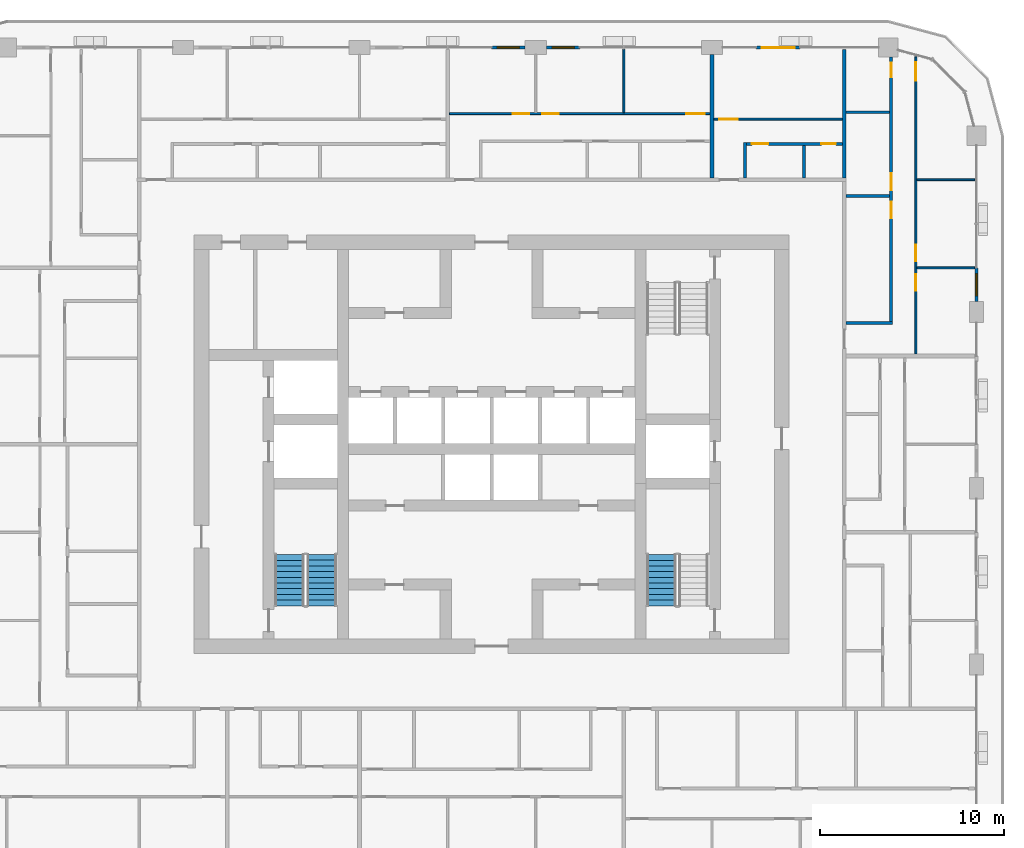
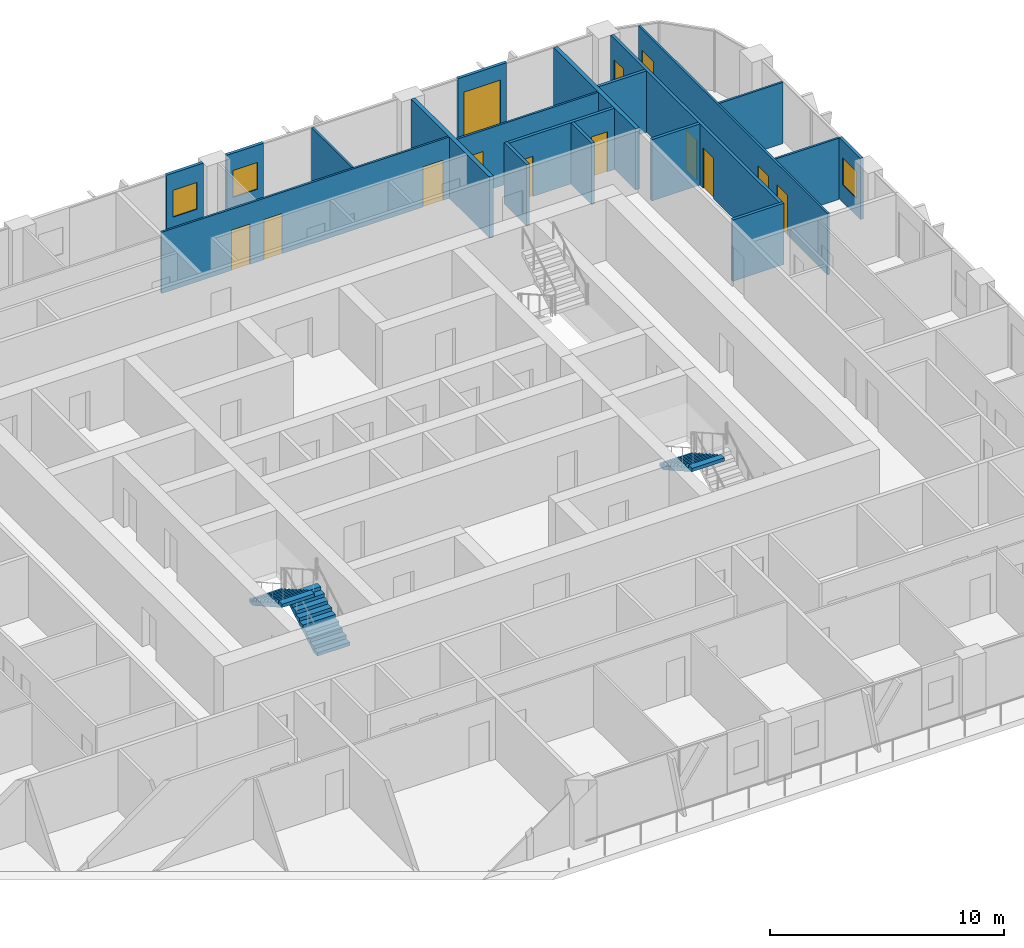
# One storey, part 15 of 22: 19 walls, 13 doors, 3 stair flights, 3 windows, 16 openings, 2 elements without a shape of their own.
"""IFC4 building model written with IfcOpenShell, lengths in metres."""

from ifc_helpers import new_model, si_unit, direction, frame, frame_2d, origin, place, context, subcontext, project, spatial, polyline, rectangle, outline, extrude, material, layer, layer_set, type_object, element, fill, aggregate, save


model = new_model("IFC4")

# Units and contexts
model_context = context("Model", 3, precision=1e-05, world=origin(), true_north=direction((0.0, 1.0)))
body_context = subcontext(model_context, "Body", "Model", "MODEL_VIEW")
ifc_project = project(units=[si_unit("LENGTHUNIT", "METRE"), si_unit("AREAUNIT", "SQUARE_METRE"), si_unit("VOLUMEUNIT", "CUBIC_METRE"), si_unit("PLANEANGLEUNIT", "RADIAN"), si_unit("MASSUNIT", "GRAM", prefix="KILO")], contexts=[model_context])

# Site, building, storey
site_placement = place(None, origin())
site = spatial("IfcSite", under=ifc_project, at=site_placement, CompositionType="ELEMENT")
building_placement = place(site_placement, origin())
building = spatial("IfcBuilding", under=site, at=building_placement, Name="Madar Terraces", CompositionType="ELEMENT")
storey_placement = place(building_placement, frame((0.0, 0.0, 163.0)))
storey = spatial("IfcBuildingStorey", under=building, at=storey_placement, Name="L42", CompositionType="ELEMENT", Elevation=163.0)

# Wall, opening, window
ifc_material_1 = material(Name="Aluminium composite panel, black, over insulated backing", Category="aluminium")
ifc_layer_1 = layer(ifc_material_1, 0.14990234375)
ifc_layer_set_1 = layer_set([ifc_layer_1], Name="Facade bay panel 150")
wall_type_1 = type_object("IfcWallType", Name="Facade bay panel 150", PredefinedType="SOLIDWALL", material=ifc_layer_set_1)
wall_1_placement = place(storey_placement, frame((57.60009765625, 34.175048828125, 0.0), z_axis=(0.0, 0.0, 1.0), x_axis=(0.0, 1.0, 0.0)))
wall_1 = element("IfcWall", 1, at=wall_1_placement, inside=storey, type_object=wall_type_1, Name="Facade bay panel", PredefinedType="SOLIDWALL", context=body_context, shape_type="SweptSolid", body=[
    extrude(rectangle(XDim=1.824951171875, YDim=0.14990234375, at=frame_2d((0.91259765625, 0.0))), origin(), (0.0, 0.0, 1.0), 3.199951171875),
])
opening_1_placement = place(wall_1_placement, frame((0.3125, 0.0, 0.89990234375)))
opening_1 = element("IfcOpeningElement", 2, at=opening_1_placement, cuts=wall_1, Name="Opening W1", PredefinedType="OPENING", context=body_context, shape_type="SweptSolid", body=[
    extrude(rectangle(XDim=1.199951171875, YDim=1.39990234375, at=frame_2d((0.60009765625, 0.699951171875))), frame((0.0, 0.0849609375, 0.0), z_axis=(0.0, -1.0, 0.0), x_axis=(1.0, 0.0, 0.0)), (0.0, 0.0, 1.0), 0.169921875),
])
ifc_material_2 = material(Name="Glass, clear, with black aluminium frame", Category="aluminium")
window_type = type_object("IfcWindowType", Name="Vent window 1200 x 1400", PartitioningType="SINGLE_PANEL", PredefinedType="WINDOW", material=ifc_material_2)
window_1_placement = place(opening_1_placement, origin())
window_1 = element("IfcWindow", 3, at=window_1_placement, inside=storey, type_object=window_type, Name="Operable vent window", OverallHeight=1.39990234375, OverallWidth=1.199951171875, PartitioningType="SINGLE_PANEL", PredefinedType="WINDOW", context=body_context, shape_type="SweptSolid", body=[
    extrude(rectangle(XDim=1.199951171875, YDim=1.39990234375, at=frame_2d((0.60009765625, 0.699951171875))), frame((0.0, 0.030029296875, 0.0), z_axis=(0.0, -1.0, 0.0), x_axis=(1.0, 0.0, 0.0)), (0.0, 0.0, 1.0), 0.06005859375),
])
fill(opening_1, window_1)

# Wall, opening, door
wall_2_placement = place(storey_placement, frame((48.0, 48.0, 0.0), z_axis=(0.0, 0.0, 1.0), x_axis=(-1.0, 0.0, 0.0)))
wall_2 = element("IfcWall", 4, at=wall_2_placement, inside=storey, type_object=wall_type_1, Name="Facade bay panel", PredefinedType="SOLIDWALL", context=body_context, shape_type="SweptSolid", body=[
    extrude(rectangle(XDim=2.39990234375, YDim=0.14990234375, at=frame_2d((1.199951171875, 0.0))), origin(), (0.0, 0.0, 1.0), 3.199951171875),
])
opening_2_placement = place(wall_2_placement, frame((0.300048828125, 0.0, 0.0)))
opening_2 = element("IfcOpeningElement", 5, at=opening_2_placement, cuts=wall_2, Name="Opening ED1", PredefinedType="OPENING", context=body_context, shape_type="SweptSolid", body=[
    extrude(rectangle(XDim=1.800048828125, YDim=2.39990234375, at=frame_2d((0.89990234375, 1.199951171875))), frame((0.0, 0.0849609375, 0.0), z_axis=(0.0, -1.0, 0.0), x_axis=(1.0, 0.0, 0.0)), (0.0, 0.0, 1.0), 0.169921875),
])
ifc_material_3 = material(Name="Glass, clear, with black aluminium frame", Category="aluminium")
door_type_1 = type_object("IfcDoorType", Name="Balcony and terrace sliding door 1800 x 2400", OperationType="SLIDING_TO_LEFT", PredefinedType="DOOR", material=ifc_material_3)
door_1_placement = place(opening_2_placement, origin())
door_1 = element("IfcDoor", 6, at=door_1_placement, inside=storey, type_object=door_type_1, Name="Balcony door", OperationType="SLIDING_TO_LEFT", OverallHeight=2.39990234375, OverallWidth=1.800048828125, PredefinedType="DOOR", context=body_context, shape_type="SweptSolid", body=[
    extrude(rectangle(XDim=1.800048828125, YDim=2.39990234375, at=frame_2d((0.89990234375, 1.199951171875))), frame((0.0, 0.02490234375, 0.0), z_axis=(0.0, -1.0, 0.0), x_axis=(1.0, 0.0, 0.0)), (0.0, 0.0, 1.0), 0.050048828125),
])
fill(opening_2, door_1)

# Wall, opening, window
wall_3_placement = place(storey_placement, frame((36.0, 48.0, 0.0), z_axis=(0.0, 0.0, 1.0), x_axis=(-1.0, 0.0, 0.0)))
wall_3 = element("IfcWall", 7, at=wall_3_placement, inside=storey, type_object=wall_type_1, Name="Facade bay panel", PredefinedType="SOLIDWALL", context=body_context, shape_type="SweptSolid", body=[
    extrude(rectangle(XDim=1.824951171875, YDim=0.14990234375, at=frame_2d((0.91259765625, 0.0))), origin(), (0.0, 0.0, 1.0), 3.199951171875),
])
opening_3_placement = place(wall_3_placement, frame((0.3125, 0.0, 0.89990234375)))
opening_3 = element("IfcOpeningElement", 8, at=opening_3_placement, cuts=wall_3, Name="Opening W1", PredefinedType="OPENING", context=body_context, shape_type="SweptSolid", body=[
    extrude(rectangle(XDim=1.199951171875, YDim=1.39990234375, at=frame_2d((0.60009765625, 0.699951171875))), frame((0.0, 0.0849609375, 0.0), z_axis=(0.0, -1.0, 0.0), x_axis=(1.0, 0.0, 0.0)), (0.0, 0.0, 1.0), 0.169921875),
])
window_2_placement = place(opening_3_placement, origin())
window_2 = element("IfcWindow", 9, at=window_2_placement, inside=storey, type_object=window_type, Name="Operable vent window", OverallHeight=1.39990234375, OverallWidth=1.199951171875, PartitioningType="SINGLE_PANEL", PredefinedType="WINDOW", context=body_context, shape_type="SweptSolid", body=[
    extrude(rectangle(XDim=1.199951171875, YDim=1.39990234375, at=frame_2d((0.60009765625, 0.699951171875))), frame((0.0, 0.030029296875, 0.0), z_axis=(0.0, -1.0, 0.0), x_axis=(1.0, 0.0, 0.0)), (0.0, 0.0, 1.0), 0.06005859375),
])
fill(opening_3, window_2)

wall_4_placement = place(storey_placement, frame((33.02490234375, 48.0, 0.0), z_axis=(0.0, 0.0, 1.0), x_axis=(-1.0, 0.0, 0.0)))
wall_4 = element("IfcWall", 10, at=wall_4_placement, inside=storey, type_object=wall_type_1, Name="Facade bay panel", PredefinedType="SOLIDWALL", context=body_context, shape_type="SweptSolid", body=[
    extrude(rectangle(XDim=1.824951171875, YDim=0.14990234375, at=frame_2d((0.91259765625, 0.0))), origin(), (0.0, 0.0, 1.0), 3.199951171875),
])
opening_4_placement = place(wall_4_placement, frame((0.3125, 0.0, 0.89990234375)))
opening_4 = element("IfcOpeningElement", 11, at=opening_4_placement, cuts=wall_4, Name="Opening W1", PredefinedType="OPENING", context=body_context, shape_type="SweptSolid", body=[
    extrude(rectangle(XDim=1.199951171875, YDim=1.39990234375, at=frame_2d((0.60009765625, 0.699951171875))), frame((0.0, 0.0849609375, 0.0), z_axis=(0.0, -1.0, 0.0), x_axis=(1.0, 0.0, 0.0)), (0.0, 0.0, 1.0), 0.169921875),
])
window_3_placement = place(opening_4_placement, origin())
window_3 = element("IfcWindow", 12, at=window_3_placement, inside=storey, type_object=window_type, Name="Operable vent window", OverallHeight=1.39990234375, OverallWidth=1.199951171875, PartitioningType="SINGLE_PANEL", PredefinedType="WINDOW", context=body_context, shape_type="SweptSolid", body=[
    extrude(rectangle(XDim=1.199951171875, YDim=1.39990234375, at=frame_2d((0.60009765625, 0.699951171875))), frame((0.0, 0.030029296875, 0.0), z_axis=(0.0, -1.0, 0.0), x_axis=(1.0, 0.0, 0.0)), (0.0, 0.0, 1.0), 0.06005859375),
])
fill(opening_4, window_3)

# Walls
ifc_material_4 = material(Name="Gypsum board on steel studs", Category="steel")
ifc_layer_2 = layer(ifc_material_4, 0.10009765625)
ifc_layer_set_2 = layer_set([ifc_layer_2], Name="Flat partition 100")
wall_type_2 = type_object("IfcWallType", Name="Flat partition 100", PredefinedType="PARTITIONING", material=ifc_layer_set_2)
for number, where, z_axis, x_axis, name in (
    (13, (54.35009765625, 36.0, 0.0), (0.0, 0.0, 1.0), (1.0, 0.0, 0.0), "Flat partition 100"),
    (14, (54.35009765625, 40.800048828125, 0.0), (0.0, 0.0, 1.0), (1.0, 0.0, 0.0), "Flat partition 100"),
):
    element("IfcWall", number, at=place(storey_placement, frame(where, z_axis=z_axis, x_axis=x_axis)), inside=storey, type_object=wall_type_2, Name=name, PredefinedType="PARTITIONING", context=body_context, shape_type="SweptSolid", body=[
        extrude(rectangle(XDim=3.14990234375, YDim=0.10009765625, at=frame_2d((1.574951171875, 0.0))), origin(), (0.0, 0.0, 1.0), 3.199951171875),
    ])

# Wall, openings, doors
wall_5_placement = place(storey_placement, frame((54.300048828125, 47.498046875, 0.0), z_axis=(0.0, 0.0, 1.0), x_axis=(0.0, -1.0, 0.0)))
wall_5 = element("IfcWall", 15, at=wall_5_placement, inside=storey, type_object=wall_type_2, Name="Flat partition 100", PredefinedType="PARTITIONING", context=body_context, shape_type="SweptSolid", body=[
    extrude(rectangle(XDim=16.197998046875, YDim=0.10009765625, at=frame_2d((8.09912109375, 0.0))), origin(), (0.0, 0.0, 1.0), 3.199951171875),
])
opening_5_placement = place(wall_5_placement, frame((11.84814453125, 0.0, 0.0)))
opening_5 = element("IfcOpeningElement", 16, at=opening_5_placement, cuts=wall_5, Name="Opening D2", PredefinedType="OPENING", context=body_context, shape_type="SweptSolid", body=[
    extrude(rectangle(XDim=0.89990234375, YDim=2.10009765625, at=frame_2d((0.449951171875, 1.050048828125))), frame((0.0, 0.06005859375, 0.0), z_axis=(0.0, -1.0, 0.0), x_axis=(1.0, 0.0, 0.0)), (0.0, 0.0, 1.0), 0.1201171875),
])
opening_6_placement = place(wall_5_placement, frame((10.248046875, 0.0, 0.0)))
opening_6 = element("IfcOpeningElement", 17, at=opening_6_placement, cuts=wall_5, Name="Opening D2", PredefinedType="OPENING", context=body_context, shape_type="SweptSolid", body=[
    extrude(rectangle(XDim=0.89990234375, YDim=2.10009765625, at=frame_2d((0.449951171875, 1.050048828125))), frame((0.0, 0.06005859375, 0.0), z_axis=(0.0, -1.0, 0.0), x_axis=(1.0, 0.0, 0.0)), (0.0, 0.0, 1.0), 0.1201171875),
])
opening_7_placement = place(wall_5_placement, frame((0.300048828125, 0.0, 0.0)))
opening_7 = element("IfcOpeningElement", 18, at=opening_7_placement, cuts=wall_5, Name="Opening D3", PredefinedType="OPENING", context=body_context, shape_type="SweptSolid", body=[
    extrude(rectangle(XDim=1.0, YDim=2.10009765625, at=frame_2d((0.5, 1.050048828125))), frame((0.0, 0.06005859375, 0.0), z_axis=(0.0, -1.0, 0.0), x_axis=(1.0, 0.0, 0.0)), (0.0, 0.0, 1.0), 0.1201171875),
])
ifc_material_5 = material(Name="Timber door leaf", Category="wood")
door_type_2 = type_object("IfcDoorType", Name="Flat living room door 1000", OperationType="NOTDEFINED", PredefinedType="DOOR", material=ifc_material_5)
door_2_placement = place(opening_7_placement, origin())
door_2 = element("IfcDoor", 19, at=door_2_placement, inside=storey, type_object=door_type_2, Name="Flat living room door 1000", OperationType="SINGLE_SWING_LEFT", OverallHeight=2.10009765625, OverallWidth=1.0, PredefinedType="DOOR", context=body_context, shape_type="SweptSolid", body=[
    extrude(rectangle(XDim=1.0, YDim=2.10009765625, at=frame_2d((0.5, 1.050048828125))), frame((0.0, 0.02490234375, 0.0), z_axis=(0.0, -1.0, 0.0), x_axis=(1.0, 0.0, 0.0)), (0.0, 0.0, 1.0), 0.050048828125),
])
fill(opening_7, door_2)
ifc_material_6 = material(Name="Timber door leaf", Category="wood")
door_type_3 = type_object("IfcDoorType", Name="Flat room door 900", OperationType="NOTDEFINED", PredefinedType="DOOR", material=ifc_material_6)
door_3_placement = place(opening_5_placement, origin())
door_3 = element("IfcDoor", 20, at=door_3_placement, inside=storey, type_object=door_type_3, Name="Flat room door 900", OperationType="SINGLE_SWING_LEFT", OverallHeight=2.10009765625, OverallWidth=0.89990234375, PredefinedType="DOOR", context=body_context, shape_type="SweptSolid", body=[
    extrude(rectangle(XDim=0.89990234375, YDim=2.10009765625, at=frame_2d((0.449951171875, 1.050048828125))), frame((0.0, 0.02490234375, 0.0), z_axis=(0.0, -1.0, 0.0), x_axis=(1.0, 0.0, 0.0)), (0.0, 0.0, 1.0), 0.050048828125),
])
fill(opening_5, door_3)
door_4_placement = place(opening_6_placement, origin())
door_4 = element("IfcDoor", 21, at=door_4_placement, inside=storey, type_object=door_type_3, Name="Flat room door 900", OperationType="SINGLE_SWING_RIGHT", OverallHeight=2.10009765625, OverallWidth=0.89990234375, PredefinedType="DOOR", context=body_context, shape_type="SweptSolid", body=[
    extrude(rectangle(XDim=0.89990234375, YDim=2.10009765625, at=frame_2d((0.449951171875, 1.050048828125))), frame((0.0, 0.02490234375, 0.0), z_axis=(0.0, -1.0, 0.0), x_axis=(1.0, 0.0, 0.0)), (0.0, 0.0, 1.0), 0.050048828125),
])
fill(opening_6, door_4)

# Wall, opening, door
wall_6_placement = place(storey_placement, frame((43.300048828125, 44.10009765625, 0.0), z_axis=(0.0, 0.0, 1.0), x_axis=(1.0, 0.0, 0.0)))
wall_6 = element("IfcWall", 22, at=wall_6_placement, inside=storey, type_object=wall_type_2, Name="Flat partition 100", PredefinedType="PARTITIONING", context=body_context, shape_type="SweptSolid", body=[
    extrude(rectangle(XDim=7.0, YDim=0.10009765625, at=frame_2d((3.5, 0.0))), origin(), (0.0, 0.0, 1.0), 3.199951171875),
])
opening_8_placement = place(wall_6_placement, frame((0.300048828125, 0.0, 0.0)))
opening_8 = element("IfcOpeningElement", 23, at=opening_8_placement, cuts=wall_6, Name="Opening D3", PredefinedType="OPENING", context=body_context, shape_type="SweptSolid", body=[
    extrude(rectangle(XDim=1.0, YDim=2.10009765625, at=frame_2d((0.5, 1.050048828125))), frame((0.0, 0.06005859375, 0.0), z_axis=(0.0, -1.0, 0.0), x_axis=(1.0, 0.0, 0.0)), (0.0, 0.0, 1.0), 0.1201171875),
])
door_5_placement = place(opening_8_placement, origin())
door_5 = element("IfcDoor", 24, at=door_5_placement, inside=storey, type_object=door_type_2, Name="Flat living room door 1000", OperationType="SINGLE_SWING_LEFT", OverallHeight=2.10009765625, OverallWidth=1.0, PredefinedType="DOOR", context=body_context, shape_type="SweptSolid", body=[
    extrude(rectangle(XDim=1.0, YDim=2.10009765625, at=frame_2d((0.5, 1.050048828125))), frame((0.0, 0.02490234375, 0.0), z_axis=(0.0, -1.0, 0.0), x_axis=(1.0, 0.0, 0.0)), (0.0, 0.0, 1.0), 0.050048828125),
])
fill(opening_8, door_5)

# Wall
wall_7_placement = place(storey_placement, frame((38.39990234375, 44.449951171875, 0.0), z_axis=(0.0, 0.0, 1.0), x_axis=(0.0, 1.0, 0.0)))
element("IfcWall", 25, at=wall_7_placement, inside=storey, type_object=wall_type_2, Name="Flat partition 100", PredefinedType="PARTITIONING", context=body_context, shape_type="SweptSolid", body=[
    extrude(rectangle(XDim=3.449951171875, YDim=0.10009765625, at=frame_2d((1.72509765625, 0.0))), origin(), (0.0, 0.0, 1.0), 3.199951171875),
])

# Wall, openings, doors
wall_8_placement = place(storey_placement, frame((28.89990234375, 44.39990234375, 0.0), z_axis=(0.0, 0.0, 1.0), x_axis=(1.0, 0.0, 0.0)))
wall_8 = element("IfcWall", 26, at=wall_8_placement, inside=storey, type_object=wall_type_2, Name="Flat partition 100", PredefinedType="PARTITIONING", context=body_context, shape_type="SweptSolid", body=[
    extrude(rectangle(XDim=14.2001953125, YDim=0.10009765625, at=frame_2d((7.10009765625, 0.0))), origin(), (0.0, 0.0, 1.0), 3.199951171875),
])
opening_9_placement = place(wall_8_placement, frame((3.449951171875, 0.0, 0.0)))
opening_9 = element("IfcOpeningElement", 27, at=opening_9_placement, cuts=wall_8, Name="Opening D2", PredefinedType="OPENING", context=body_context, shape_type="SweptSolid", body=[
    extrude(rectangle(XDim=0.89990234375, YDim=2.10009765625, at=frame_2d((0.449951171875, 1.050048828125))), frame((0.0, 0.06005859375, 0.0), z_axis=(0.0, -1.0, 0.0), x_axis=(1.0, 0.0, 0.0)), (0.0, 0.0, 1.0), 0.1201171875),
])
opening_10_placement = place(wall_8_placement, frame((5.050048828125, 0.0, 0.0)))
opening_10 = element("IfcOpeningElement", 28, at=opening_10_placement, cuts=wall_8, Name="Opening D2", PredefinedType="OPENING", context=body_context, shape_type="SweptSolid", body=[
    extrude(rectangle(XDim=0.89990234375, YDim=2.10009765625, at=frame_2d((0.449951171875, 1.050048828125))), frame((0.0, 0.06005859375, 0.0), z_axis=(0.0, -1.0, 0.0), x_axis=(1.0, 0.0, 0.0)), (0.0, 0.0, 1.0), 0.1201171875),
])
opening_11_placement = place(wall_8_placement, frame((12.89990234375, 0.0, 0.0)))
opening_11 = element("IfcOpeningElement", 29, at=opening_11_placement, cuts=wall_8, Name="Opening D3", PredefinedType="OPENING", context=body_context, shape_type="SweptSolid", body=[
    extrude(rectangle(XDim=1.0, YDim=2.10009765625, at=frame_2d((0.5, 1.050048828125))), frame((0.0, 0.06005859375, 0.0), z_axis=(0.0, -1.0, 0.0), x_axis=(1.0, 0.0, 0.0)), (0.0, 0.0, 1.0), 0.1201171875),
])
door_6_placement = place(opening_11_placement, origin())
door_6 = element("IfcDoor", 30, at=door_6_placement, inside=storey, type_object=door_type_2, Name="Flat living room door 1000", OperationType="SINGLE_SWING_RIGHT", OverallHeight=2.10009765625, OverallWidth=1.0, PredefinedType="DOOR", context=body_context, shape_type="SweptSolid", body=[
    extrude(rectangle(XDim=1.0, YDim=2.10009765625, at=frame_2d((0.5, 1.050048828125))), frame((0.0, 0.02490234375, 0.0), z_axis=(0.0, -1.0, 0.0), x_axis=(1.0, 0.0, 0.0)), (0.0, 0.0, 1.0), 0.050048828125),
])
fill(opening_11, door_6)
door_7_placement = place(opening_9_placement, origin())
door_7 = element("IfcDoor", 31, at=door_7_placement, inside=storey, type_object=door_type_3, Name="Flat room door 900", OperationType="SINGLE_SWING_RIGHT", OverallHeight=2.10009765625, OverallWidth=0.89990234375, PredefinedType="DOOR", context=body_context, shape_type="SweptSolid", body=[
    extrude(rectangle(XDim=0.89990234375, YDim=2.10009765625, at=frame_2d((0.449951171875, 1.050048828125))), frame((0.0, 0.02490234375, 0.0), z_axis=(0.0, -1.0, 0.0), x_axis=(1.0, 0.0, 0.0)), (0.0, 0.0, 1.0), 0.050048828125),
])
fill(opening_9, door_7)
door_8_placement = place(opening_10_placement, origin())
door_8 = element("IfcDoor", 32, at=door_8_placement, inside=storey, type_object=door_type_3, Name="Flat room door 900", OperationType="SINGLE_SWING_LEFT", OverallHeight=2.10009765625, OverallWidth=0.89990234375, PredefinedType="DOOR", context=body_context, shape_type="SweptSolid", body=[
    extrude(rectangle(XDim=0.89990234375, YDim=2.10009765625, at=frame_2d((0.449951171875, 1.050048828125))), frame((0.0, 0.02490234375, 0.0), z_axis=(0.0, -1.0, 0.0), x_axis=(1.0, 0.0, 0.0)), (0.0, 0.0, 1.0), 0.050048828125),
])
fill(opening_10, door_8)

# Walls
ifc_material_7 = material(Name="Lightweight blockwork", Category="masonry")
ifc_layer_3 = layer(ifc_material_7, 0.199951171875)
ifc_layer_set_3 = layer_set([ifc_layer_3], Name="Flat party and entrance wall 200")
wall_type_3 = type_object("IfcWallType", Name="Flat party and entrance wall 200", PredefinedType="PARTITIONING", material=ifc_layer_set_3)
wall_9_placement = place(storey_placement, frame((50.39990234375, 40.89990234375, 0.0), z_axis=(0.0, 0.0, 1.0), x_axis=(0.0, 1.0, 0.0)))
element("IfcWall", 33, at=wall_9_placement, inside=storey, type_object=wall_type_3, Name="Flat party and entrance wall 200", PredefinedType="PARTITIONING", context=body_context, shape_type="SweptSolid", body=[
    extrude(rectangle(XDim=7.0, YDim=0.199951171875, at=frame_2d((3.5, 0.0))), origin(), (0.0, 0.0, 1.0), 3.199951171875),
])
wall_10_placement = place(storey_placement, frame((43.199951171875, 47.625, 0.0), z_axis=(0.0, 0.0, 1.0), x_axis=(0.0, -1.0, 0.0)))
element("IfcWall", 34, at=wall_10_placement, inside=storey, type_object=wall_type_3, Name="Flat party and entrance wall 200", PredefinedType="PARTITIONING", context=body_context, shape_type="SweptSolid", body=[
    extrude(rectangle(XDim=6.72509765625, YDim=0.199951171875, at=frame_2d((3.362548828125, 0.0))), origin(), (0.0, 0.0, 1.0), 3.199951171875),
])
ifc_material_8 = material(Name="Lightweight blockwork", Category="masonry")
ifc_layer_4 = layer(ifc_material_8, 0.14990234375)
ifc_layer_set_4 = layer_set([ifc_layer_4], Name="Flat wet-room partition 150")
wall_type_4 = type_object("IfcWallType", Name="Flat wet-room partition 150", PredefinedType="PARTITIONING", material=ifc_layer_set_4)
for number, where, z_axis, x_axis, name in (
    (35, (50.5, 39.917236328125, 0.0), (0.0, 0.0, 1.0), (1.0, 0.0, 0.0), "Flat wet-room partition 150"),
    (36, (50.5, 44.478759765625, 0.0), (0.0, 0.0, 1.0), (1.0, 0.0, 0.0), "Flat wet-room partition 150"),
):
    element("IfcWall", number, at=place(storey_placement, frame(where, z_axis=z_axis, x_axis=x_axis)), inside=storey, type_object=wall_type_4, Name=name, PredefinedType="PARTITIONING", context=body_context, shape_type="SweptSolid", body=[
        extrude(rectangle(XDim=2.375, YDim=0.14990234375, at=frame_2d((1.1875, 0.0))), origin(), (0.0, 0.0, 1.0), 3.199951171875),
    ])
wall_11_placement = place(storey_placement, frame((50.5, 33.0, 0.0), z_axis=(0.0, 0.0, 1.0), x_axis=(1.0, 0.0, 0.0)))
element("IfcWall", 37, at=wall_11_placement, inside=storey, type_object=wall_type_4, Name="Flat wet-room partition 150", PredefinedType="PARTITIONING", context=body_context, shape_type="SweptSolid", body=[
    extrude(rectangle(XDim=2.52490234375, YDim=0.14990234375, at=frame_2d((1.262451171875, 0.0))), origin(), (0.0, 0.0, 1.0), 3.199951171875),
])

# Wall, openings, doors
wall_12_placement = place(storey_placement, frame((52.949951171875, 33.074951171875, 0.0), z_axis=(0.0, 0.0, 1.0), x_axis=(0.0, 1.0, 0.0)))
wall_12 = element("IfcWall", 38, at=wall_12_placement, inside=storey, type_object=wall_type_4, Name="Flat wet-room partition 150", PredefinedType="PARTITIONING", context=body_context, shape_type="SweptSolid", body=[
    extrude(rectangle(XDim=14.400146484375, YDim=0.14990234375, at=frame_2d((7.2001953125, 0.0))), origin(), (0.0, 0.0, 1.0), 3.199951171875),
])
opening_12_placement = place(wall_12_placement, frame((5.6171875, 0.0, 0.0)))
opening_12 = element("IfcOpeningElement", 39, at=opening_12_placement, cuts=wall_12, Name="Opening D2", PredefinedType="OPENING", context=body_context, shape_type="SweptSolid", body=[
    extrude(rectangle(XDim=0.89990234375, YDim=2.10009765625, at=frame_2d((0.449951171875, 1.050048828125))), frame((0.0, 0.0849609375, 0.0), z_axis=(0.0, -1.0, 0.0), x_axis=(1.0, 0.0, 0.0)), (0.0, 0.0, 1.0), 0.169921875),
])
opening_13_placement = place(wall_12_placement, frame((7.167236328125, 0.0, 0.0)))
opening_13 = element("IfcOpeningElement", 40, at=opening_13_placement, cuts=wall_12, Name="Opening D5", PredefinedType="OPENING", context=body_context, shape_type="SweptSolid", body=[
    extrude(rectangle(XDim=0.89990234375, YDim=2.10009765625, at=frame_2d((0.449951171875, 1.050048828125))), frame((0.0, 0.0849609375, 0.0), z_axis=(0.0, -1.0, 0.0), x_axis=(1.0, 0.0, 0.0)), (0.0, 0.0, 1.0), 0.169921875),
])
opening_14_placement = place(wall_12_placement, frame((13.300048828125, 0.0, 0.0)))
opening_14 = element("IfcOpeningElement", 41, at=opening_14_placement, cuts=wall_12, Name="Opening D4", PredefinedType="OPENING", context=body_context, shape_type="SweptSolid", body=[
    extrude(rectangle(XDim=0.800048828125, YDim=2.10009765625, at=frame_2d((0.39990234375, 1.050048828125))), frame((0.0, 0.0849609375, 0.0), z_axis=(0.0, -1.0, 0.0), x_axis=(1.0, 0.0, 0.0)), (0.0, 0.0, 1.0), 0.169921875),
])
ifc_material_9 = material(Name="Timber door leaf", Category="wood")
door_type_4 = type_object("IfcDoorType", Name="Flat accessible bathroom door 900", OperationType="NOTDEFINED", PredefinedType="DOOR", material=ifc_material_9)
door_9_placement = place(opening_13_placement, origin())
door_9 = element("IfcDoor", 42, at=door_9_placement, inside=storey, type_object=door_type_4, Name="Flat accessible bathroom door 900", OperationType="SINGLE_SWING_LEFT", OverallHeight=2.10009765625, OverallWidth=0.89990234375, PredefinedType="DOOR", context=body_context, shape_type="SweptSolid", body=[
    extrude(rectangle(XDim=0.89990234375, YDim=2.10009765625, at=frame_2d((0.449951171875, 1.050048828125))), frame((0.0, 0.02490234375, 0.0), z_axis=(0.0, -1.0, 0.0), x_axis=(1.0, 0.0, 0.0)), (0.0, 0.0, 1.0), 0.050048828125),
])
fill(opening_13, door_9)
ifc_material_10 = material(Name="Timber door leaf", Category="wood")
door_type_5 = type_object("IfcDoorType", Name="Flat bathroom door 800", OperationType="NOTDEFINED", PredefinedType="DOOR", material=ifc_material_10)
door_10_placement = place(opening_14_placement, origin())
door_10 = element("IfcDoor", 43, at=door_10_placement, inside=storey, type_object=door_type_5, Name="Flat bathroom door 800", OperationType="SINGLE_SWING_RIGHT", OverallHeight=2.10009765625, OverallWidth=0.800048828125, PredefinedType="DOOR", context=body_context, shape_type="SweptSolid", body=[
    extrude(rectangle(XDim=0.800048828125, YDim=2.10009765625, at=frame_2d((0.39990234375, 1.050048828125))), frame((0.0, 0.02490234375, 0.0), z_axis=(0.0, -1.0, 0.0), x_axis=(1.0, 0.0, 0.0)), (0.0, 0.0, 1.0), 0.050048828125),
])
fill(opening_14, door_10)
door_11_placement = place(opening_12_placement, origin())
door_11 = element("IfcDoor", 44, at=door_11_placement, inside=storey, type_object=door_type_3, Name="Flat room door 900", OperationType="SINGLE_SWING_RIGHT", OverallHeight=2.10009765625, OverallWidth=0.89990234375, PredefinedType="DOOR", context=body_context, shape_type="SweptSolid", body=[
    extrude(rectangle(XDim=0.89990234375, YDim=2.10009765625, at=frame_2d((0.449951171875, 1.050048828125))), frame((0.0, 0.02490234375, 0.0), z_axis=(0.0, -1.0, 0.0), x_axis=(1.0, 0.0, 0.0)), (0.0, 0.0, 1.0), 0.050048828125),
])
fill(opening_12, door_11)

# Walls
wall_13_placement = place(storey_placement, frame((48.2099609375, 40.89990234375, 0.0), z_axis=(0.0, 0.0, 1.0), x_axis=(0.0, 1.0, 0.0)))
element("IfcWall", 45, at=wall_13_placement, inside=storey, type_object=wall_type_4, Name="Flat wet-room partition 150", PredefinedType="PARTITIONING", context=body_context, shape_type="SweptSolid", body=[
    extrude(rectangle(XDim=1.775146484375, YDim=0.14990234375, at=frame_2d((0.8876953125, 0.0))), origin(), (0.0, 0.0, 1.0), 3.199951171875),
])
wall_14_placement = place(storey_placement, frame((45.0, 40.89990234375, 0.0), z_axis=(0.0, 0.0, 1.0), x_axis=(0.0, 1.0, 0.0)))
element("IfcWall", 46, at=wall_14_placement, inside=storey, type_object=wall_type_4, Name="Flat wet-room partition 150", PredefinedType="PARTITIONING", context=body_context, shape_type="SweptSolid", body=[
    extrude(rectangle(XDim=1.925048828125, YDim=0.14990234375, at=frame_2d((0.96240234375, 0.0))), origin(), (0.0, 0.0, 1.0), 3.199951171875),
])

# Wall, openings, doors
wall_15_placement = place(storey_placement, frame((50.300048828125, 42.75, 0.0), z_axis=(0.0, 0.0, 1.0), x_axis=(-1.0, 0.0, 0.0)))
wall_15 = element("IfcWall", 47, at=wall_15_placement, inside=storey, type_object=wall_type_4, Name="Flat wet-room partition 150", PredefinedType="PARTITIONING", context=body_context, shape_type="SweptSolid", body=[
    extrude(rectangle(XDim=5.22509765625, YDim=0.14990234375, at=frame_2d((2.612548828125, 0.0))), origin(), (0.0, 0.0, 1.0), 3.199951171875),
])
opening_15_placement = place(wall_15_placement, frame((4.02490234375, 0.0, 0.0)))
opening_15 = element("IfcOpeningElement", 48, at=opening_15_placement, cuts=wall_15, Name="Opening D2", PredefinedType="OPENING", context=body_context, shape_type="SweptSolid", body=[
    extrude(rectangle(XDim=0.89990234375, YDim=2.10009765625, at=frame_2d((0.449951171875, 1.050048828125))), frame((0.0, 0.0849609375, 0.0), z_axis=(0.0, -1.0, 0.0), x_axis=(1.0, 0.0, 0.0)), (0.0, 0.0, 1.0), 0.169921875),
])
opening_16_placement = place(wall_15_placement, frame((0.35009765625, 0.0, 0.0)))
opening_16 = element("IfcOpeningElement", 49, at=opening_16_placement, cuts=wall_15, Name="Opening D4", PredefinedType="OPENING", context=body_context, shape_type="SweptSolid", body=[
    extrude(rectangle(XDim=0.800048828125, YDim=2.10009765625, at=frame_2d((0.39990234375, 1.050048828125))), frame((0.0, 0.0849609375, 0.0), z_axis=(0.0, -1.0, 0.0), x_axis=(1.0, 0.0, 0.0)), (0.0, 0.0, 1.0), 0.169921875),
])
door_12_placement = place(opening_16_placement, origin())
door_12 = element("IfcDoor", 50, at=door_12_placement, inside=storey, type_object=door_type_5, Name="Flat bathroom door 800", OperationType="SINGLE_SWING_LEFT", OverallHeight=2.10009765625, OverallWidth=0.800048828125, PredefinedType="DOOR", context=body_context, shape_type="SweptSolid", body=[
    extrude(rectangle(XDim=0.800048828125, YDim=2.10009765625, at=frame_2d((0.39990234375, 1.050048828125))), frame((0.0, 0.02490234375, 0.0), z_axis=(0.0, -1.0, 0.0), x_axis=(1.0, 0.0, 0.0)), (0.0, 0.0, 1.0), 0.050048828125),
])
fill(opening_16, door_12)
door_13_placement = place(opening_15_placement, origin())
door_13 = element("IfcDoor", 51, at=door_13_placement, inside=storey, type_object=door_type_3, Name="Flat room door 900", OperationType="SINGLE_SWING_RIGHT", OverallHeight=2.10009765625, OverallWidth=0.89990234375, PredefinedType="DOOR", context=body_context, shape_type="SweptSolid", body=[
    extrude(rectangle(XDim=0.89990234375, YDim=2.10009765625, at=frame_2d((0.449951171875, 1.050048828125))), frame((0.0, 0.02490234375, 0.0), z_axis=(0.0, -1.0, 0.0), x_axis=(1.0, 0.0, 0.0)), (0.0, 0.0, 1.0), 0.050048828125),
])
fill(opening_15, door_13)

# Stair, stair flights
ifc_material_11 = material(Name="Concrete C50/60", Category="concrete")
stair_type_1 = type_object("IfcStairType", Name="Stair ST1 protected exit", PredefinedType="HALF_TURN_STAIR", material=ifc_material_11)
stair_1_placement = place(storey_placement, origin())
stair_1 = element("IfcStair", 52, at=stair_1_placement, inside=storey, type_object=stair_type_1, Name="L42 Protected Exit Stair ST1", PredefinedType="HALF_TURN_STAIR")
ifc_material_12 = material(Name="Concrete C50/60", Category="concrete")
stair_flight_type_1 = type_object("IfcStairFlightType", Name="Stair flight ST1-F4, 1600 wide, 10 risers", PredefinedType="STRAIGHT", material=ifc_material_12)
stair_flight_1_placement = place(storey_placement, frame((21.949951171875, 17.60009765625, 0.0), z_axis=(0.0, 0.0, 1.0), x_axis=(0.0, 1.0, 0.0)))
stair_flight_1 = element("IfcStairFlight", 53, at=stair_flight_1_placement, type_object=stair_flight_type_1, Name="ST1 flight 1", NumberOfRisers=10, NumberOfTreads=9, PredefinedType="STRAIGHT", RiserHeight=0.175, TreadLength=0.31, context=body_context, shape_type="SweptSolid", body=[
    extrude(outline(polyline([(0.0, 0.0), (0.0, 0.175048828125), (0.31005859375, 0.175048828125), (0.31005859375, 0.35009765625), (0.6201171875, 0.35009765625), (0.6201171875, 0.52490234375), (0.929931640625, 0.52490234375), (0.929931640625, 0.699951171875), (1.239990234375, 0.699951171875), (1.239990234375, 0.875), (1.550048828125, 0.875), (1.550048828125, 1.050048828125), (1.860107421875, 1.050048828125), (1.860107421875, 1.22509765625), (2.169921875, 1.22509765625), (2.169921875, 1.39990234375), (2.47998046875, 1.39990234375), (2.47998046875, 1.574951171875), (2.7900390625, 1.574951171875), (2.7900390625, 1.75), (2.7900390625, 1.40283203125), (0.304931640625, 0.0), (0.0, 0.0)])), frame((0.0, 0.800048828125, 0.0), z_axis=(0.0, -1.0, 0.0), x_axis=(1.0, 0.0, 0.0)), (0.0, 0.0, 1.0), 1.60009765625),
])
stair_flight_2_placement = place(storey_placement, frame((20.199951171875, 20.389892578125, 1.75), z_axis=(0.0, 0.0, 1.0), x_axis=(0.0, -1.0, 0.0)))
stair_flight_2 = element("IfcStairFlight", 54, at=stair_flight_2_placement, type_object=stair_flight_type_1, Name="ST1 flight 2", NumberOfRisers=10, NumberOfTreads=9, PredefinedType="STRAIGHT", RiserHeight=0.175, TreadLength=0.31, context=body_context, shape_type="SweptSolid", body=[
    extrude(outline(polyline([(0.0, 0.0), (0.0, 0.175048828125), (0.31005859375, 0.175048828125), (0.31005859375, 0.35009765625), (0.6201171875, 0.35009765625), (0.6201171875, 0.52490234375), (0.929931640625, 0.52490234375), (0.929931640625, 0.699951171875), (1.239990234375, 0.699951171875), (1.239990234375, 0.875), (1.550048828125, 0.875), (1.550048828125, 1.050048828125), (1.860107421875, 1.050048828125), (1.860107421875, 1.22509765625), (2.169921875, 1.22509765625), (2.169921875, 1.39990234375), (2.47998046875, 1.39990234375), (2.47998046875, 1.574951171875), (2.7900390625, 1.574951171875), (2.7900390625, 1.75), (2.7900390625, 1.40283203125), (0.304931640625, 0.0), (0.0, 0.0)])), frame((0.0, 0.800048828125, 0.0), z_axis=(0.0, -1.0, 0.0), x_axis=(1.0, 0.0, 0.0)), (0.0, 0.0, 1.0), 1.60009765625),
])
aggregate(stair_1, [stair_flight_1, stair_flight_2])

# Stair, stair flight
ifc_material_13 = material(Name="Concrete C50/60", Category="concrete")
stair_type_2 = type_object("IfcStairType", Name="Stair ST3 protected exit", PredefinedType="HALF_TURN_STAIR", material=ifc_material_13)
stair_2_placement = place(storey_placement, origin())
stair_2 = element("IfcStair", 55, at=stair_2_placement, inside=storey, type_object=stair_type_2, Name="L42 Protected Exit Stair ST3", PredefinedType="HALF_TURN_STAIR")
ifc_material_14 = material(Name="Concrete C50/60", Category="concrete")
stair_flight_type_2 = type_object("IfcStairFlightType", Name="Stair flight ST3-F4, 1600 wide, 10 risers", PredefinedType="STRAIGHT", material=ifc_material_14)
stair_flight_3_placement = place(storey_placement, frame((40.449951171875, 20.389892578125, 1.75), z_axis=(0.0, 0.0, 1.0), x_axis=(0.0, -1.0, 0.0)))
stair_flight_3 = element("IfcStairFlight", 56, at=stair_flight_3_placement, type_object=stair_flight_type_2, Name="ST3 flight 2", NumberOfRisers=10, NumberOfTreads=9, PredefinedType="STRAIGHT", RiserHeight=0.175, TreadLength=0.31, context=body_context, shape_type="SweptSolid", body=[
    extrude(outline(polyline([(0.0, 0.0), (0.0, 0.175048828125), (0.31005859375, 0.175048828125), (0.31005859375, 0.35009765625), (0.6201171875, 0.35009765625), (0.6201171875, 0.52490234375), (0.929931640625, 0.52490234375), (0.929931640625, 0.699951171875), (1.239990234375, 0.699951171875), (1.239990234375, 0.875), (1.550048828125, 0.875), (1.550048828125, 1.050048828125), (1.860107421875, 1.050048828125), (1.860107421875, 1.22509765625), (2.169921875, 1.22509765625), (2.169921875, 1.39990234375), (2.47998046875, 1.39990234375), (2.47998046875, 1.574951171875), (2.7900390625, 1.574951171875), (2.7900390625, 1.75), (2.7900390625, 1.40283203125), (0.304931640625, 0.0), (0.0, 0.0)])), frame((0.0, 0.800048828125, 0.0), z_axis=(0.0, -1.0, 0.0), x_axis=(1.0, 0.0, 0.0)), (0.0, 0.0, 1.0), 1.60009765625),
])
aggregate(stair_2, [stair_flight_3])

save(model, "model.ifc")
